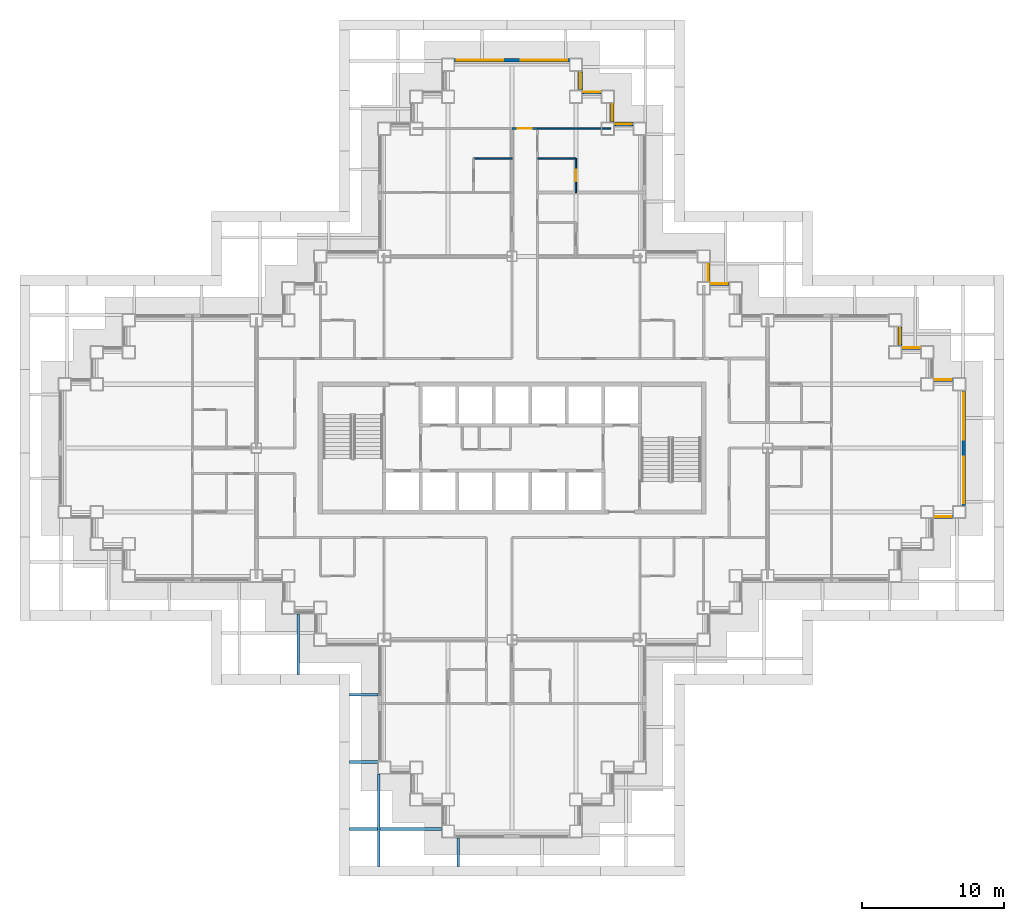
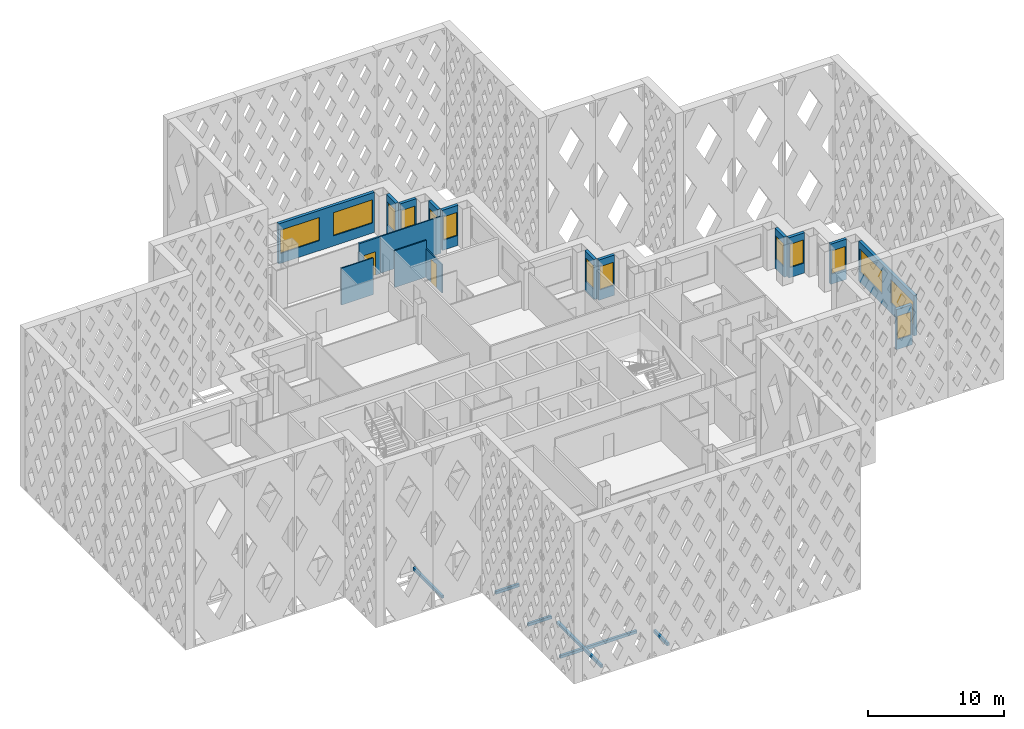
# One storey, part 9 of 21: 17 walls, 14 windows, 6 discrete accessories, 2 doors, 16 openings.
"""IFC4 building model written with IfcOpenShell, lengths in metres."""

from ifc_helpers import new_model, si_unit, direction, frame, frame_2d, origin, origin_2d, place, context, subcontext, project, spatial, rectangle, extrude, material, layer, layer_set, type_object, element, fill, save


model = new_model("IFC4")

# Units and contexts
model_context = context("Model", 3, precision=1e-05, world=origin(), true_north=direction((0.0, 1.0)))
body_context = subcontext(model_context, "Body", "Model", "MODEL_VIEW")
ifc_project = project(units=[si_unit("LENGTHUNIT", "METRE"), si_unit("AREAUNIT", "SQUARE_METRE"), si_unit("VOLUMEUNIT", "CUBIC_METRE"), si_unit("PLANEANGLEUNIT", "RADIAN"), si_unit("MASSUNIT", "GRAM", prefix="KILO")], contexts=[model_context])

# Site, building, storey
site_placement = place(None, origin())
site = spatial("IfcSite", under=ifc_project, at=site_placement, CompositionType="ELEMENT")
building_placement = place(site_placement, origin())
building = spatial("IfcBuilding", under=site, at=building_placement, Name="Caravel Reach Hotel and Residences", CompositionType="ELEMENT")
storey_placement = place(building_placement, frame((0.0, 0.0, 115.199951171875)))
storey = spatial("IfcBuildingStorey", under=building, at=storey_placement, Name="L28", CompositionType="ELEMENT", Elevation=115.199951171875)

# Walls
ifc_material_1 = material(Name="Gypsum board on steel stud", Category="steel")
ifc_layer_1 = layer(ifc_material_1, 0.10009765625)
ifc_layer_set_1 = layer_set([ifc_layer_1], Name="Bathroom pod wall 100 mm")
wall_type_1 = type_object("IfcWallType", Name="Bathroom pod wall 100 mm", PredefinedType="PARTITIONING", material=ifc_layer_set_1)
for number, where, z_axis, x_axis, name in (
    (1, (33.300048828125, 47.39990234375, 0.0), (0.0, 0.0, 1.0), (1.0, 0.0, 0.0), "L28 wall w078"),
    (2, (28.800048828125, 47.39990234375, 0.0), (0.0, 0.0, 1.0), (1.0, 0.0, 0.0), "L28 wall w079"),
):
    element("IfcWall", number, at=place(storey_placement, frame(where, z_axis=z_axis, x_axis=x_axis)), inside=storey, type_object=wall_type_1, Name=name, PredefinedType="PARTITIONING", context=body_context, shape_type="SweptSolid", body=[
        extrude(rectangle(XDim=2.699951171875, YDim=0.10009765625, at=frame_2d((1.35009765625, 0.0))), origin(), (0.0, 0.0, 1.0), 3.300048828125),
    ])

# Wall, opening, door
wall_1_placement = place(storey_placement, frame((36.0, 45.0, 0.0), z_axis=(0.0, 0.0, 1.0), x_axis=(0.0, 1.0, 0.0)))
wall_1 = element("IfcWall", 3, at=wall_1_placement, inside=storey, type_object=wall_type_1, Name="L28 wall w089", PredefinedType="PARTITIONING", context=body_context, shape_type="SweptSolid", body=[
    extrude(rectangle(XDim=2.39990234375, YDim=0.10009765625, at=frame_2d((1.199951171875, 0.0))), origin(), (0.0, 0.0, 1.0), 2.580078125),
])
opening_1_placement = place(wall_1_placement, frame((0.800048828125, 0.0, 0.0)))
opening_1 = element("IfcOpeningElement", 4, at=opening_1_placement, cuts=wall_1, Name="Opening D28-030", PredefinedType="OPENING", context=body_context, shape_type="SweptSolid", body=[
    extrude(rectangle(XDim=0.800048828125, YDim=2.10009765625, at=frame_2d((0.39990234375, 1.050048828125))), frame((0.0, 0.06005859375, 0.0), z_axis=(0.0, -1.0, 0.0), x_axis=(1.0, 0.0, 0.0)), (0.0, 0.0, 1.0), 0.1201171875),
])
ifc_material_2 = material(Name="Timber and steel door leaf", Category="steel")
door_type_1 = type_object("IfcDoorType", Name="Bathroom door 800 x 2100", OperationType="SINGLE_SWING_LEFT", PredefinedType="DOOR", material=ifc_material_2)
door_1_placement = place(opening_1_placement, origin())
door_1 = element("IfcDoor", 5, at=door_1_placement, inside=storey, type_object=door_type_1, Name="door D28-030", OperationType="SINGLE_SWING_LEFT", OverallHeight=2.10009765625, OverallWidth=0.800048828125, PredefinedType="DOOR", context=body_context, shape_type="SweptSolid", body=[
    extrude(rectangle(XDim=0.800048828125, YDim=2.10009765625, at=frame_2d((0.39990234375, 1.050048828125))), frame((0.0, 0.02490234375, 0.0), z_axis=(0.0, -1.0, 0.0), x_axis=(1.0, 0.0, 0.0)), (0.0, 0.0, 1.0), 0.050048828125),
])
fill(opening_1, door_1)

ifc_material_3 = material(Name="Gypsum board on steel stud, fire-rated", Category="steel")
ifc_layer_2 = layer(ifc_material_3, 0.14990234375)
ifc_layer_set_2 = layer_set([ifc_layer_2], Name="Corridor wall 150 mm EI 60")
wall_type_2 = type_object("IfcWallType", Name="Corridor wall 150 mm EI 60", PredefinedType="PARTITIONING", material=ifc_layer_set_2)
wall_2_placement = place(storey_placement, frame((31.5, 49.5, 0.0), z_axis=(0.0, 0.0, 1.0), x_axis=(1.0, 0.0, 0.0)))
wall_2 = element("IfcWall", 6, at=wall_2_placement, inside=storey, type_object=wall_type_2, Name="L28 wall w019", PredefinedType="PARTITIONING", context=body_context, shape_type="SweptSolid", body=[
    extrude(rectangle(XDim=1.800048828125, YDim=0.14990234375, at=frame_2d((0.89990234375, 0.0))), origin(), (0.0, 0.0, 1.0), 3.300048828125),
])
opening_2_placement = place(wall_2_placement, frame((0.39990234375, 0.0, 0.0)))
opening_2 = element("IfcOpeningElement", 7, at=opening_2_placement, cuts=wall_2, Name="Opening D28-037", PredefinedType="OPENING", context=body_context, shape_type="SweptSolid", body=[
    extrude(rectangle(XDim=1.0, YDim=2.10009765625, at=frame_2d((0.5, 1.050048828125))), frame((0.0, 0.0849609375, 0.0), z_axis=(0.0, -1.0, 0.0), x_axis=(1.0, 0.0, 0.0)), (0.0, 0.0, 1.0), 0.169921875),
])
ifc_material_4 = material(Name="Steel fire door leaf", Category="steel")
door_type_2 = type_object("IfcDoorType", Name="Guest room door 1000 x 2100 EI 30", OperationType="SINGLE_SWING_LEFT", PredefinedType="DOOR", material=ifc_material_4)
door_2_placement = place(opening_2_placement, origin())
door_2 = element("IfcDoor", 8, at=door_2_placement, inside=storey, type_object=door_type_2, Name="door D28-037", OperationType="SINGLE_SWING_RIGHT", OverallHeight=2.10009765625, OverallWidth=1.0, PredefinedType="DOOR", context=body_context, shape_type="SweptSolid", body=[
    extrude(rectangle(XDim=1.0, YDim=2.10009765625, at=frame_2d((0.5, 1.050048828125))), frame((0.0, 0.02490234375, 0.0), z_axis=(0.0, -1.0, 0.0), x_axis=(1.0, 0.0, 0.0)), (0.0, 0.0, 1.0), 0.050048828125),
])
fill(opening_2, door_2)

# Wall, opening, window
ifc_material_5 = material(Name="Insulated rainscreen wall, aluminium cladding", Category="aluminium")
ifc_layer_3 = layer(ifc_material_5, 0.25)
ifc_layer_set_3 = layer_set([ifc_layer_3], Name="EW1 Tower rainscreen wall")
wall_type_3 = type_object("IfcWallType", Name="EW1 Tower rainscreen wall", PredefinedType="SOLIDWALL", material=ifc_layer_set_3)
wall_3_placement = place(storey_placement, frame((61.199951171875, 22.175048828125, 0.0), z_axis=(0.0, 0.0, 1.0), x_axis=(1.0, 0.0, 0.0)))
wall_3 = element("IfcWall", 9, at=wall_3_placement, inside=storey, type_object=wall_type_3, Name="External wall L28 S19.1", PredefinedType="SOLIDWALL", context=body_context, shape_type="SweptSolid", body=[
    extrude(rectangle(XDim=1.35009765625, YDim=0.25, at=frame_2d((0.675048828125, 0.0))), origin(), (0.0, 0.0, 1.0), 3.60009765625),
])
opening_3_placement = place(wall_3_placement, frame((0.10009765625, 0.0, 0.89990234375)))
opening_3 = element("IfcOpeningElement", 10, at=opening_3_placement, cuts=wall_3, Name="Opening WN8", PredefinedType="OPENING", context=body_context, shape_type="SweptSolid", body=[
    extrude(rectangle(XDim=1.14990234375, YDim=2.080078125, at=frame_2d((0.574951171875, 1.0400390625))), frame((0.0, 0.135009765625, 0.0), z_axis=(0.0, -1.0, 0.0), x_axis=(1.0, 0.0, 0.0)), (0.0, 0.0, 1.0), 0.27001953125),
])
ifc_material_6 = material(Name="Dark low-e glazing in black aluminium frame", Category="aluminium")
window_type_1 = type_object("IfcWindowType", Name="Hotel suite corner window 1150 x 2080", PartitioningType="SINGLE_PANEL", PredefinedType="WINDOW", material=ifc_material_6)
window_1_placement = place(opening_3_placement, origin())
window_1 = element("IfcWindow", 11, at=window_1_placement, inside=storey, type_object=window_type_1, Name="Window L28 S19.1.1", OverallHeight=2.080078125, OverallWidth=1.14990234375, PartitioningType="SINGLE_PANEL", PredefinedType="WINDOW", context=body_context, shape_type="SweptSolid", body=[
    extrude(rectangle(XDim=1.14990234375, YDim=2.080078125, at=frame_2d((0.574951171875, 1.0400390625))), frame((0.0, 0.030029296875, 0.0), z_axis=(0.0, -1.0, 0.0), x_axis=(1.0, 0.0, 0.0)), (0.0, 0.0, 1.0), 0.06005859375),
])
fill(opening_3, window_1)

# Wall, openings, windows
wall_4_placement = place(storey_placement, frame((63.324951171875, 22.949951171875, 0.0), z_axis=(0.0, 0.0, 1.0), x_axis=(0.0, 1.0, 0.0)))
wall_4 = element("IfcWall", 12, at=wall_4_placement, inside=storey, type_object=wall_type_3, Name="External wall L28 E20.1", PredefinedType="SOLIDWALL", context=body_context, shape_type="SweptSolid", body=[
    extrude(rectangle(XDim=8.10009765625, YDim=0.25, at=frame_2d((4.050048828125, 0.0))), origin(), (0.0, 0.0, 1.0), 3.60009765625),
])
opening_4_placement = place(wall_4_placement, frame((0.14990234375, 0.0, 0.89990234375)))
opening_4 = element("IfcOpeningElement", 13, at=opening_4_placement, cuts=wall_4, Name="Opening WN4", PredefinedType="OPENING", context=body_context, shape_type="SweptSolid", body=[
    extrude(rectangle(XDim=3.300048828125, YDim=2.080078125, at=frame_2d((1.64990234375, 1.0400390625))), frame((0.0, 0.135009765625, 0.0), z_axis=(0.0, -1.0, 0.0), x_axis=(1.0, 0.0, 0.0)), (0.0, 0.0, 1.0), 0.27001953125),
])
opening_5_placement = place(wall_4_placement, frame((4.64990234375, 0.0, 0.89990234375)))
opening_5 = element("IfcOpeningElement", 14, at=opening_5_placement, cuts=wall_4, Name="Opening WN4", PredefinedType="OPENING", context=body_context, shape_type="SweptSolid", body=[
    extrude(rectangle(XDim=3.300048828125, YDim=2.080078125, at=frame_2d((1.64990234375, 1.0400390625))), frame((0.0, 0.135009765625, 0.0), z_axis=(0.0, -1.0, 0.0), x_axis=(1.0, 0.0, 0.0)), (0.0, 0.0, 1.0), 0.27001953125),
])
ifc_material_7 = material(Name="Dark low-e glazing in black aluminium frame", Category="aluminium")
window_type_2 = type_object("IfcWindowType", Name="Hotel guest room window 3300 x 2080", PartitioningType="SINGLE_PANEL", PredefinedType="WINDOW", material=ifc_material_7)
window_2_placement = place(opening_4_placement, origin())
window_2 = element("IfcWindow", 15, at=window_2_placement, inside=storey, type_object=window_type_2, Name="Window L28 E20.1.1", OverallHeight=2.080078125, OverallWidth=3.300048828125, PartitioningType="SINGLE_PANEL", PredefinedType="WINDOW", context=body_context, shape_type="SweptSolid", body=[
    extrude(rectangle(XDim=3.300048828125, YDim=2.080078125, at=frame_2d((1.64990234375, 1.0400390625))), frame((0.0, 0.030029296875, 0.0), z_axis=(0.0, -1.0, 0.0), x_axis=(1.0, 0.0, 0.0)), (0.0, 0.0, 1.0), 0.06005859375),
])
fill(opening_4, window_2)
window_3_placement = place(opening_5_placement, origin())
window_3 = element("IfcWindow", 16, at=window_3_placement, inside=storey, type_object=window_type_2, Name="Window L28 E20.1.2", OverallHeight=2.080078125, OverallWidth=3.300048828125, PartitioningType="SINGLE_PANEL", PredefinedType="WINDOW", context=body_context, shape_type="SweptSolid", body=[
    extrude(rectangle(XDim=3.300048828125, YDim=2.080078125, at=frame_2d((1.64990234375, 1.0400390625))), frame((0.0, 0.030029296875, 0.0), z_axis=(0.0, -1.0, 0.0), x_axis=(1.0, 0.0, 0.0)), (0.0, 0.0, 1.0), 0.06005859375),
])
fill(opening_5, window_3)

# Wall, opening, window
wall_5_placement = place(storey_placement, frame((62.550048828125, 31.824951171875, 0.0), z_axis=(0.0, 0.0, 1.0), x_axis=(-1.0, 0.0, 0.0)))
wall_5 = element("IfcWall", 17, at=wall_5_placement, inside=storey, type_object=wall_type_3, Name="External wall L28 N21.1", PredefinedType="SOLIDWALL", context=body_context, shape_type="SweptSolid", body=[
    extrude(rectangle(XDim=1.35009765625, YDim=0.25, at=frame_2d((0.675048828125, 0.0))), origin(), (0.0, 0.0, 1.0), 3.60009765625),
])
opening_6_placement = place(wall_5_placement, frame((0.10009765625, 0.0, 0.89990234375)))
opening_6 = element("IfcOpeningElement", 18, at=opening_6_placement, cuts=wall_5, Name="Opening WN8", PredefinedType="OPENING", context=body_context, shape_type="SweptSolid", body=[
    extrude(rectangle(XDim=1.14990234375, YDim=2.080078125, at=frame_2d((0.574951171875, 1.0400390625))), frame((0.0, 0.135009765625, 0.0), z_axis=(0.0, -1.0, 0.0), x_axis=(1.0, 0.0, 0.0)), (0.0, 0.0, 1.0), 0.27001953125),
])
window_4_placement = place(opening_6_placement, origin())
window_4 = element("IfcWindow", 19, at=window_4_placement, inside=storey, type_object=window_type_1, Name="Window L28 N21.1.1", OverallHeight=2.080078125, OverallWidth=1.14990234375, PartitioningType="SINGLE_PANEL", PredefinedType="WINDOW", context=body_context, shape_type="SweptSolid", body=[
    extrude(rectangle(XDim=1.14990234375, YDim=2.080078125, at=frame_2d((0.574951171875, 1.0400390625))), frame((0.0, 0.030029296875, 0.0), z_axis=(0.0, -1.0, 0.0), x_axis=(1.0, 0.0, 0.0)), (0.0, 0.0, 1.0), 0.06005859375),
])
fill(opening_6, window_4)

wall_6_placement = place(storey_placement, frame((60.300048828125, 34.074951171875, 0.0), z_axis=(0.0, 0.0, 1.0), x_axis=(-1.0, 0.0, 0.0)))
wall_6 = element("IfcWall", 20, at=wall_6_placement, inside=storey, type_object=wall_type_3, Name="External wall L28 N23.1", PredefinedType="SOLIDWALL", context=body_context, shape_type="SweptSolid", body=[
    extrude(rectangle(XDim=1.35009765625, YDim=0.25, at=frame_2d((0.675048828125, 0.0))), origin(), (0.0, 0.0, 1.0), 3.60009765625),
])
opening_7_placement = place(wall_6_placement, frame((0.10009765625, 0.0, 0.89990234375)))
opening_7 = element("IfcOpeningElement", 21, at=opening_7_placement, cuts=wall_6, Name="Opening WN8", PredefinedType="OPENING", context=body_context, shape_type="SweptSolid", body=[
    extrude(rectangle(XDim=1.14990234375, YDim=2.080078125, at=frame_2d((0.574951171875, 1.0400390625))), frame((0.0, 0.135009765625, 0.0), z_axis=(0.0, -1.0, 0.0), x_axis=(1.0, 0.0, 0.0)), (0.0, 0.0, 1.0), 0.27001953125),
])
window_5_placement = place(opening_7_placement, origin())
window_5 = element("IfcWindow", 22, at=window_5_placement, inside=storey, type_object=window_type_1, Name="Window L28 N23.1.1", OverallHeight=2.080078125, OverallWidth=1.14990234375, PartitioningType="SINGLE_PANEL", PredefinedType="WINDOW", context=body_context, shape_type="SweptSolid", body=[
    extrude(rectangle(XDim=1.14990234375, YDim=2.080078125, at=frame_2d((0.574951171875, 1.0400390625))), frame((0.0, 0.030029296875, 0.0), z_axis=(0.0, -1.0, 0.0), x_axis=(1.0, 0.0, 0.0)), (0.0, 0.0, 1.0), 0.06005859375),
])
fill(opening_7, window_5)

wall_7_placement = place(storey_placement, frame((58.824951171875, 34.199951171875, 0.0), z_axis=(0.0, 0.0, 1.0), x_axis=(0.0, 1.0, 0.0)))
wall_7 = element("IfcWall", 23, at=wall_7_placement, inside=storey, type_object=wall_type_3, Name="External wall L28 E24.1", PredefinedType="SOLIDWALL", context=body_context, shape_type="SweptSolid", body=[
    extrude(rectangle(XDim=1.35009765625, YDim=0.25, at=frame_2d((0.675048828125, 0.0))), origin(), (0.0, 0.0, 1.0), 3.60009765625),
])
opening_8_placement = place(wall_7_placement, frame((0.10009765625, 0.0, 0.89990234375)))
opening_8 = element("IfcOpeningElement", 24, at=opening_8_placement, cuts=wall_7, Name="Opening WN8", PredefinedType="OPENING", context=body_context, shape_type="SweptSolid", body=[
    extrude(rectangle(XDim=1.14990234375, YDim=2.080078125, at=frame_2d((0.574951171875, 1.0400390625))), frame((0.0, 0.135009765625, 0.0), z_axis=(0.0, -1.0, 0.0), x_axis=(1.0, 0.0, 0.0)), (0.0, 0.0, 1.0), 0.27001953125),
])
window_6_placement = place(opening_8_placement, origin())
window_6 = element("IfcWindow", 25, at=window_6_placement, inside=storey, type_object=window_type_1, Name="Window L28 E24.1.1", OverallHeight=2.080078125, OverallWidth=1.14990234375, PartitioningType="SINGLE_PANEL", PredefinedType="WINDOW", context=body_context, shape_type="SweptSolid", body=[
    extrude(rectangle(XDim=1.14990234375, YDim=2.080078125, at=frame_2d((0.574951171875, 1.0400390625))), frame((0.0, 0.030029296875, 0.0), z_axis=(0.0, -1.0, 0.0), x_axis=(1.0, 0.0, 0.0)), (0.0, 0.0, 1.0), 0.06005859375),
])
fill(opening_8, window_6)

wall_8_placement = place(storey_placement, frame((46.800048828125, 38.574951171875, 0.0), z_axis=(0.0, 0.0, 1.0), x_axis=(-1.0, 0.0, 0.0)))
wall_8 = element("IfcWall", 26, at=wall_8_placement, inside=storey, type_object=wall_type_3, Name="External wall L28 N27.1", PredefinedType="SOLIDWALL", context=body_context, shape_type="SweptSolid", body=[
    extrude(rectangle(XDim=1.35009765625, YDim=0.25, at=frame_2d((0.675048828125, 0.0))), origin(), (0.0, 0.0, 1.0), 3.60009765625),
])
opening_9_placement = place(wall_8_placement, frame((0.10009765625, 0.0, 0.89990234375)))
opening_9 = element("IfcOpeningElement", 27, at=opening_9_placement, cuts=wall_8, Name="Opening WN8", PredefinedType="OPENING", context=body_context, shape_type="SweptSolid", body=[
    extrude(rectangle(XDim=1.14990234375, YDim=2.080078125, at=frame_2d((0.574951171875, 1.0400390625))), frame((0.0, 0.135009765625, 0.0), z_axis=(0.0, -1.0, 0.0), x_axis=(1.0, 0.0, 0.0)), (0.0, 0.0, 1.0), 0.27001953125),
])
window_7_placement = place(opening_9_placement, origin())
window_7 = element("IfcWindow", 28, at=window_7_placement, inside=storey, type_object=window_type_1, Name="Window L28 N27.1.1", OverallHeight=2.080078125, OverallWidth=1.14990234375, PartitioningType="SINGLE_PANEL", PredefinedType="WINDOW", context=body_context, shape_type="SweptSolid", body=[
    extrude(rectangle(XDim=1.14990234375, YDim=2.080078125, at=frame_2d((0.574951171875, 1.0400390625))), frame((0.0, 0.030029296875, 0.0), z_axis=(0.0, -1.0, 0.0), x_axis=(1.0, 0.0, 0.0)), (0.0, 0.0, 1.0), 0.06005859375),
])
fill(opening_9, window_7)

wall_9_placement = place(storey_placement, frame((45.324951171875, 38.699951171875, 0.0), z_axis=(0.0, 0.0, 1.0), x_axis=(0.0, 1.0, 0.0)))
wall_9 = element("IfcWall", 29, at=wall_9_placement, inside=storey, type_object=wall_type_3, Name="External wall L28 E28.1", PredefinedType="SOLIDWALL", context=body_context, shape_type="SweptSolid", body=[
    extrude(rectangle(XDim=1.35009765625, YDim=0.25, at=frame_2d((0.675048828125, 0.0))), origin(), (0.0, 0.0, 1.0), 3.60009765625),
])
opening_10_placement = place(wall_9_placement, frame((0.10009765625, 0.0, 0.89990234375)))
opening_10 = element("IfcOpeningElement", 30, at=opening_10_placement, cuts=wall_9, Name="Opening WN8", PredefinedType="OPENING", context=body_context, shape_type="SweptSolid", body=[
    extrude(rectangle(XDim=1.14990234375, YDim=2.080078125, at=frame_2d((0.574951171875, 1.0400390625))), frame((0.0, 0.135009765625, 0.0), z_axis=(0.0, -1.0, 0.0), x_axis=(1.0, 0.0, 0.0)), (0.0, 0.0, 1.0), 0.27001953125),
])
window_8_placement = place(opening_10_placement, origin())
window_8 = element("IfcWindow", 31, at=window_8_placement, inside=storey, type_object=window_type_1, Name="Window L28 E28.1.1", OverallHeight=2.080078125, OverallWidth=1.14990234375, PartitioningType="SINGLE_PANEL", PredefinedType="WINDOW", context=body_context, shape_type="SweptSolid", body=[
    extrude(rectangle(XDim=1.14990234375, YDim=2.080078125, at=frame_2d((0.574951171875, 1.0400390625))), frame((0.0, 0.030029296875, 0.0), z_axis=(0.0, -1.0, 0.0), x_axis=(1.0, 0.0, 0.0)), (0.0, 0.0, 1.0), 0.06005859375),
])
fill(opening_10, window_8)

wall_10_placement = place(storey_placement, frame((40.050048828125, 49.824951171875, 0.0), z_axis=(0.0, 0.0, 1.0), x_axis=(-1.0, 0.0, 0.0)))
wall_10 = element("IfcWall", 32, at=wall_10_placement, inside=storey, type_object=wall_type_3, Name="External wall L28 N31.1", PredefinedType="SOLIDWALL", context=body_context, shape_type="SweptSolid", body=[
    extrude(rectangle(XDim=1.35009765625, YDim=0.25, at=frame_2d((0.675048828125, 0.0))), origin(), (0.0, 0.0, 1.0), 3.60009765625),
])
opening_11_placement = place(wall_10_placement, frame((0.10009765625, 0.0, 0.89990234375)))
opening_11 = element("IfcOpeningElement", 33, at=opening_11_placement, cuts=wall_10, Name="Opening WN8", PredefinedType="OPENING", context=body_context, shape_type="SweptSolid", body=[
    extrude(rectangle(XDim=1.14990234375, YDim=2.080078125, at=frame_2d((0.574951171875, 1.0400390625))), frame((0.0, 0.135009765625, 0.0), z_axis=(0.0, -1.0, 0.0), x_axis=(1.0, 0.0, 0.0)), (0.0, 0.0, 1.0), 0.27001953125),
])
window_9_placement = place(opening_11_placement, origin())
window_9 = element("IfcWindow", 34, at=window_9_placement, inside=storey, type_object=window_type_1, Name="Window L28 N31.1.1", OverallHeight=2.080078125, OverallWidth=1.14990234375, PartitioningType="SINGLE_PANEL", PredefinedType="WINDOW", context=body_context, shape_type="SweptSolid", body=[
    extrude(rectangle(XDim=1.14990234375, YDim=2.080078125, at=frame_2d((0.574951171875, 1.0400390625))), frame((0.0, 0.030029296875, 0.0), z_axis=(0.0, -1.0, 0.0), x_axis=(1.0, 0.0, 0.0)), (0.0, 0.0, 1.0), 0.06005859375),
])
fill(opening_11, window_9)

wall_11_placement = place(storey_placement, frame((38.574951171875, 49.949951171875, 0.0), z_axis=(0.0, 0.0, 1.0), x_axis=(0.0, 1.0, 0.0)))
wall_11 = element("IfcWall", 35, at=wall_11_placement, inside=storey, type_object=wall_type_3, Name="External wall L28 E32.1", PredefinedType="SOLIDWALL", context=body_context, shape_type="SweptSolid", body=[
    extrude(rectangle(XDim=1.35009765625, YDim=0.25, at=frame_2d((0.675048828125, 0.0))), origin(), (0.0, 0.0, 1.0), 3.60009765625),
])
opening_12_placement = place(wall_11_placement, frame((0.10009765625, 0.0, 0.89990234375)))
opening_12 = element("IfcOpeningElement", 36, at=opening_12_placement, cuts=wall_11, Name="Opening WN8", PredefinedType="OPENING", context=body_context, shape_type="SweptSolid", body=[
    extrude(rectangle(XDim=1.14990234375, YDim=2.080078125, at=frame_2d((0.574951171875, 1.0400390625))), frame((0.0, 0.135009765625, 0.0), z_axis=(0.0, -1.0, 0.0), x_axis=(1.0, 0.0, 0.0)), (0.0, 0.0, 1.0), 0.27001953125),
])
window_10_placement = place(opening_12_placement, origin())
window_10 = element("IfcWindow", 37, at=window_10_placement, inside=storey, type_object=window_type_1, Name="Window L28 E32.1.1", OverallHeight=2.080078125, OverallWidth=1.14990234375, PartitioningType="SINGLE_PANEL", PredefinedType="WINDOW", context=body_context, shape_type="SweptSolid", body=[
    extrude(rectangle(XDim=1.14990234375, YDim=2.080078125, at=frame_2d((0.574951171875, 1.0400390625))), frame((0.0, 0.030029296875, 0.0), z_axis=(0.0, -1.0, 0.0), x_axis=(1.0, 0.0, 0.0)), (0.0, 0.0, 1.0), 0.06005859375),
])
fill(opening_12, window_10)

wall_12_placement = place(storey_placement, frame((37.800048828125, 52.074951171875, 0.0), z_axis=(0.0, 0.0, 1.0), x_axis=(-1.0, 0.0, 0.0)))
wall_12 = element("IfcWall", 38, at=wall_12_placement, inside=storey, type_object=wall_type_3, Name="External wall L28 N33.1", PredefinedType="SOLIDWALL", context=body_context, shape_type="SweptSolid", body=[
    extrude(rectangle(XDim=1.35009765625, YDim=0.25, at=frame_2d((0.675048828125, 0.0))), origin(), (0.0, 0.0, 1.0), 3.60009765625),
])
opening_13_placement = place(wall_12_placement, frame((0.10009765625, 0.0, 0.89990234375)))
opening_13 = element("IfcOpeningElement", 39, at=opening_13_placement, cuts=wall_12, Name="Opening WN8", PredefinedType="OPENING", context=body_context, shape_type="SweptSolid", body=[
    extrude(rectangle(XDim=1.14990234375, YDim=2.080078125, at=frame_2d((0.574951171875, 1.0400390625))), frame((0.0, 0.135009765625, 0.0), z_axis=(0.0, -1.0, 0.0), x_axis=(1.0, 0.0, 0.0)), (0.0, 0.0, 1.0), 0.27001953125),
])
window_11_placement = place(opening_13_placement, origin())
window_11 = element("IfcWindow", 40, at=window_11_placement, inside=storey, type_object=window_type_1, Name="Window L28 N33.1.1", OverallHeight=2.080078125, OverallWidth=1.14990234375, PartitioningType="SINGLE_PANEL", PredefinedType="WINDOW", context=body_context, shape_type="SweptSolid", body=[
    extrude(rectangle(XDim=1.14990234375, YDim=2.080078125, at=frame_2d((0.574951171875, 1.0400390625))), frame((0.0, 0.030029296875, 0.0), z_axis=(0.0, -1.0, 0.0), x_axis=(1.0, 0.0, 0.0)), (0.0, 0.0, 1.0), 0.06005859375),
])
fill(opening_13, window_11)

wall_13_placement = place(storey_placement, frame((36.324951171875, 52.199951171875, 0.0), z_axis=(0.0, 0.0, 1.0), x_axis=(0.0, 1.0, 0.0)))
wall_13 = element("IfcWall", 41, at=wall_13_placement, inside=storey, type_object=wall_type_3, Name="External wall L28 E34.1", PredefinedType="SOLIDWALL", context=body_context, shape_type="SweptSolid", body=[
    extrude(rectangle(XDim=1.35009765625, YDim=0.25, at=frame_2d((0.675048828125, 0.0))), origin(), (0.0, 0.0, 1.0), 3.60009765625),
])
opening_14_placement = place(wall_13_placement, frame((0.10009765625, 0.0, 0.89990234375)))
opening_14 = element("IfcOpeningElement", 42, at=opening_14_placement, cuts=wall_13, Name="Opening WN8", PredefinedType="OPENING", context=body_context, shape_type="SweptSolid", body=[
    extrude(rectangle(XDim=1.14990234375, YDim=2.080078125, at=frame_2d((0.574951171875, 1.0400390625))), frame((0.0, 0.135009765625, 0.0), z_axis=(0.0, -1.0, 0.0), x_axis=(1.0, 0.0, 0.0)), (0.0, 0.0, 1.0), 0.27001953125),
])
window_12_placement = place(opening_14_placement, origin())
window_12 = element("IfcWindow", 43, at=window_12_placement, inside=storey, type_object=window_type_1, Name="Window L28 E34.1.1", OverallHeight=2.080078125, OverallWidth=1.14990234375, PartitioningType="SINGLE_PANEL", PredefinedType="WINDOW", context=body_context, shape_type="SweptSolid", body=[
    extrude(rectangle(XDim=1.14990234375, YDim=2.080078125, at=frame_2d((0.574951171875, 1.0400390625))), frame((0.0, 0.030029296875, 0.0), z_axis=(0.0, -1.0, 0.0), x_axis=(1.0, 0.0, 0.0)), (0.0, 0.0, 1.0), 0.06005859375),
])
fill(opening_14, window_12)

# Wall, openings, windows
wall_14_placement = place(storey_placement, frame((35.550048828125, 54.324951171875, 0.0), z_axis=(0.0, 0.0, 1.0), x_axis=(-1.0, 0.0, 0.0)))
wall_14 = element("IfcWall", 44, at=wall_14_placement, inside=storey, type_object=wall_type_3, Name="External wall L28 N35.1", PredefinedType="SOLIDWALL", context=body_context, shape_type="SweptSolid", body=[
    extrude(rectangle(XDim=8.10009765625, YDim=0.25, at=frame_2d((4.050048828125, 0.0))), origin(), (0.0, 0.0, 1.0), 3.60009765625),
])
opening_15_placement = place(wall_14_placement, frame((0.14990234375, 0.0, 0.89990234375)))
opening_15 = element("IfcOpeningElement", 45, at=opening_15_placement, cuts=wall_14, Name="Opening WN4", PredefinedType="OPENING", context=body_context, shape_type="SweptSolid", body=[
    extrude(rectangle(XDim=3.300048828125, YDim=2.080078125, at=frame_2d((1.64990234375, 1.0400390625))), frame((0.0, 0.135009765625, 0.0), z_axis=(0.0, -1.0, 0.0), x_axis=(1.0, 0.0, 0.0)), (0.0, 0.0, 1.0), 0.27001953125),
])
opening_16_placement = place(wall_14_placement, frame((4.64990234375, 0.0, 0.89990234375)))
opening_16 = element("IfcOpeningElement", 46, at=opening_16_placement, cuts=wall_14, Name="Opening WN4", PredefinedType="OPENING", context=body_context, shape_type="SweptSolid", body=[
    extrude(rectangle(XDim=3.300048828125, YDim=2.080078125, at=frame_2d((1.64990234375, 1.0400390625))), frame((0.0, 0.135009765625, 0.0), z_axis=(0.0, -1.0, 0.0), x_axis=(1.0, 0.0, 0.0)), (0.0, 0.0, 1.0), 0.27001953125),
])
window_13_placement = place(opening_15_placement, origin())
window_13 = element("IfcWindow", 47, at=window_13_placement, inside=storey, type_object=window_type_2, Name="Window L28 N35.1.1", OverallHeight=2.080078125, OverallWidth=3.300048828125, PartitioningType="SINGLE_PANEL", PredefinedType="WINDOW", context=body_context, shape_type="SweptSolid", body=[
    extrude(rectangle(XDim=3.300048828125, YDim=2.080078125, at=frame_2d((1.64990234375, 1.0400390625))), frame((0.0, 0.030029296875, 0.0), z_axis=(0.0, -1.0, 0.0), x_axis=(1.0, 0.0, 0.0)), (0.0, 0.0, 1.0), 0.06005859375),
])
fill(opening_15, window_13)
window_14_placement = place(opening_16_placement, origin())
window_14 = element("IfcWindow", 48, at=window_14_placement, inside=storey, type_object=window_type_2, Name="Window L28 N35.1.2", OverallHeight=2.080078125, OverallWidth=3.300048828125, PartitioningType="SINGLE_PANEL", PredefinedType="WINDOW", context=body_context, shape_type="SweptSolid", body=[
    extrude(rectangle(XDim=3.300048828125, YDim=2.080078125, at=frame_2d((1.64990234375, 1.0400390625))), frame((0.0, 0.030029296875, 0.0), z_axis=(0.0, -1.0, 0.0), x_axis=(1.0, 0.0, 0.0)), (0.0, 0.0, 1.0), 0.06005859375),
])
fill(opening_16, window_14)

# Wall
ifc_material_8 = material(Name="Gypsum board on steel stud", Category="steel")
ifc_layer_4 = layer(ifc_material_8, 0.10009765625)
ifc_layer_set_4 = layer_set([ifc_layer_4], Name="Partition 100 mm")
wall_type_4 = type_object("IfcWallType", Name="Partition 100 mm", PredefinedType="PARTITIONING", material=ifc_layer_set_4)
wall_15_placement = place(storey_placement, frame((33.300048828125, 49.5, 0.0), z_axis=(0.0, 0.0, 1.0), x_axis=(1.0, 0.0, 0.0)))
element("IfcWall", 49, at=wall_15_placement, inside=storey, type_object=wall_type_4, Name="L28 wall w045", PredefinedType="PARTITIONING", context=body_context, shape_type="SweptSolid", body=[
    extrude(rectangle(XDim=5.139892578125, YDim=0.10009765625, at=frame_2d((2.56982421875, 0.0))), origin(), (0.0, 0.0, 1.0), 3.300048828125),
])

# Discrete accessories
ifc_material_9 = material(Name="Black powder-coated aluminium", Category="aluminium")
discrete_accessory_type = type_object("IfcDiscreteAccessoryType", Name="BR1 Screen bracket", PredefinedType="BRACKET", material=ifc_material_9)
for number, where, z_axis, x_axis, name in (
    (50, (21.050048828125, 9.6298828125, 0.10009765625), (0.0, 0.0, 1.0), (-1.0, 0.0, 0.0), "Screen bracket L28 1.1.1"),
    (51, (21.050048828125, 4.896728515625, 0.10009765625), (0.0, 0.0, 1.0), (-1.0, 0.0, 0.0), "Screen bracket L28 1.2.1"),
):
    element("IfcDiscreteAccessory", number, at=place(storey_placement, frame(where, z_axis=z_axis, x_axis=x_axis)), inside=storey, type_object=discrete_accessory_type, Name=name, PredefinedType="BRACKET", context=body_context, shape_type="SweptSolid", body=[
        extrude(rectangle(XDim=2.0, YDim=0.199951171875, at=origin_2d()), origin(), (0.0, 0.0, 1.0), 0.25),
    ])
for number, where, z_axis, x_axis, name in (
    (52, (23.300048828125, 0.163330078125, 0.10009765625), (0.0, 0.0, 1.0), (-1.0, 0.0, 0.0), "Screen bracket L28 1.3.1"),
    (53, (22.1201171875, 0.800048828125, 0.10009765625), (0.0, 0.0, 1.0), (0.0, -1.0, 0.0), "Screen bracket L28 2.1.1"),
):
    element("IfcDiscreteAccessory", number, at=place(storey_placement, frame(where, z_axis=z_axis, x_axis=x_axis)), inside=storey, type_object=discrete_accessory_type, Name=name, PredefinedType="BRACKET", context=body_context, shape_type="SweptSolid", body=[
        extrude(rectangle(XDim=6.5, YDim=0.199951171875, at=origin_2d()), origin(), (0.0, 0.0, 1.0), 0.25),
    ])
discrete_accessory_1_placement = place(storey_placement, frame((27.719970703125, -1.449951171875, 0.10009765625), z_axis=(0.0, 0.0, 1.0), x_axis=(0.0, -1.0, 0.0)))
element("IfcDiscreteAccessory", 54, at=discrete_accessory_1_placement, inside=storey, type_object=discrete_accessory_type, Name="Screen bracket L28 2.2.1", PredefinedType="BRACKET", context=body_context, shape_type="SweptSolid", body=[
    extrude(rectangle(XDim=2.0, YDim=0.199951171875, at=origin_2d()), origin(), (0.0, 0.0, 1.0), 0.25),
])
discrete_accessory_2_placement = place(storey_placement, frame((16.445068359375, 13.175048828125, 0.10009765625), z_axis=(0.0, 0.0, 1.0), x_axis=(0.0, -1.0, 0.0)))
element("IfcDiscreteAccessory", 55, at=discrete_accessory_2_placement, inside=storey, type_object=discrete_accessory_type, Name="Screen bracket L28 20.2.1", PredefinedType="BRACKET", context=body_context, shape_type="SweptSolid", body=[
    extrude(rectangle(XDim=4.25, YDim=0.199951171875, at=origin_2d()), origin(), (0.0, 0.0, 1.0), 0.25),
])

save(model, "model.ifc")
